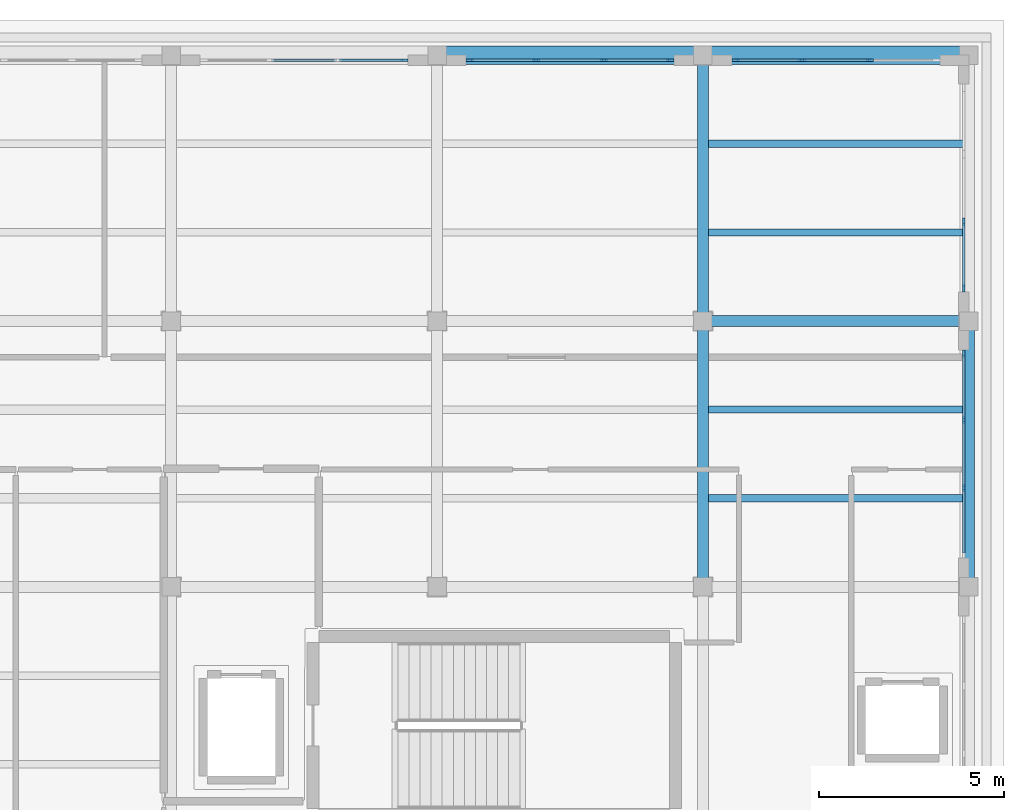
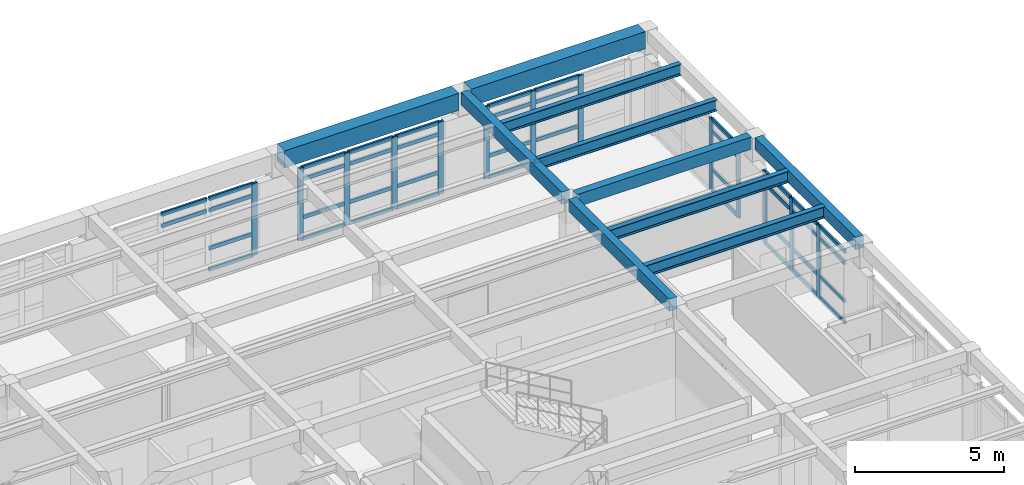
# One storey, part 8 of 18: 55 members, 10 beams, 5 elements without a shape of their own.
"""IFC4 building model written with IfcOpenShell, lengths in metres."""

from ifc_helpers import new_model, si_unit, direction, frame, origin, origin_2d, place, context, subcontext, project, spatial, rectangle, i_section, extrude, material, layer, layer_set, material_profile, profile_set, type_object, element, aggregate, save


model = new_model("IFC4")

# Units and contexts
model_context = context("Model", 3, precision=1e-05, world=origin(), true_north=direction((0.0, 1.0)))
body_context = subcontext(model_context, "Body", "Model", "MODEL_VIEW")
ifc_project = project(units=[si_unit("LENGTHUNIT", "METRE"), si_unit("AREAUNIT", "SQUARE_METRE"), si_unit("VOLUMEUNIT", "CUBIC_METRE"), si_unit("PLANEANGLEUNIT", "RADIAN"), si_unit("MASSUNIT", "GRAM", prefix="KILO")], contexts=[model_context])

# Site, building, storey
site_placement = place(None, origin())
site = spatial("IfcSite", under=ifc_project, at=site_placement, CompositionType="ELEMENT")
building_placement = place(site_placement, origin())
building = spatial("IfcBuilding", under=site, at=building_placement, Name="Solenvale Faculty of Natural Sciences", CompositionType="ELEMENT")
storey_placement = place(building_placement, frame((0.0, 0.0, 43.800048828125)))
storey = spatial("IfcBuildingStorey", under=building, at=storey_placement, Name="L10", CompositionType="ELEMENT", Elevation=43.800048828125)

# Beams
ifc_material_1 = material(Name="Concrete 40 MPa", Category="concrete")
ifc_material_profile_1 = material_profile(ifc_material_1, rectangle(XDim=0.300048828125, YDim=0.5, at=origin_2d()), Name="RC-BM-300x500")
ifc_profile_set_1 = profile_set([ifc_material_profile_1], Name="Concrete 40 MPa")
beam_type_1 = type_object("IfcBeamType", Name="BM-RC-300x500", PredefinedType="BEAM", material=ifc_profile_set_1)
for number, where, z_axis, x_axis, name in (
    (1, (144.22998046875, 108.0, 3.669921875), (1.0, 0.0, 0.0), (0.0, 1.0, 0.0), "L10 X-Girder Y108.0 (144.0..151.2)"),
    (2, (144.0, 101.030029296875, 3.669921875), (0.0, 1.0, 0.0), (-1.0, 0.0, 0.0), "L10 Y-Girder X144.0 (100.8..108.0)"),
    (3, (144.0, 108.22998046875, 3.669921875), (0.0, 1.0, 0.0), (-1.0, 0.0, 0.0), "L10 Y-Girder X144.0 (108.0..115.2)"),
    (4, (151.199951171875, 101.030029296875, 3.669921875), (0.0, 1.0, 0.0), (-1.0, 0.0, 0.0), "L10 Y-Girder X151.2 (100.8..108.0)"),
):
    element("IfcBeam", number, at=place(storey_placement, frame(where, z_axis=z_axis, x_axis=x_axis)), inside=storey, type_object=beam_type_1, Name=name, PredefinedType="BEAM", context=body_context, shape_type="SweptSolid", body=[
        extrude(rectangle(XDim=0.300048828125, YDim=0.5, at=origin_2d()), origin(), (0.0, 0.0, 1.0), 6.739990234375),
    ])
ifc_material_2 = material(Name="Precast concrete 40 MPa", Category="concrete")
ifc_material_profile_2 = material_profile(ifc_material_2, rectangle(XDim=0.5, YDim=0.699951171875, at=origin_2d()), Name="RC-BM-500x700")
ifc_profile_set_2 = profile_set([ifc_material_profile_2], Name="Precast concrete 40 MPa")
beam_type_2 = type_object("IfcBeamType", Name="BM-SPN-PRC-700", PredefinedType="SPANDREL", material=ifc_profile_set_2)
for number, where, z_axis, x_axis, name in (
    (5, (137.030029296875, 115.199951171875, 3.570068359375), (1.0, 0.0, 0.0), (0.0, 1.0, 0.0), "L10 X-Girder Y115.2 (136.8..144.0)"),
    (6, (144.22998046875, 115.199951171875, 3.570068359375), (1.0, 0.0, 0.0), (0.0, 1.0, 0.0), "L10 X-Girder Y115.2 (144.0..151.2)"),
):
    element("IfcBeam", number, at=place(storey_placement, frame(where, z_axis=z_axis, x_axis=x_axis)), inside=storey, type_object=beam_type_2, Name=name, PredefinedType="SPANDREL", context=body_context, shape_type="SweptSolid", body=[
        extrude(rectangle(XDim=0.5, YDim=0.699951171875, at=origin_2d()), origin(), (0.0, 0.0, 1.0), 6.739990234375),
    ])
ifc_material_3 = material(Name="Steel S355", Category="steel")
ifc_material_profile_3 = material_profile(ifc_material_3, i_section(OverallWidth=0.194091796875, OverallDepth=0.468994140625, WebThickness=0.0126953125, FlangeThickness=0.0205078125, FilletRadius=0.01806640625, at=origin_2d()), Name="W460x106")
ifc_profile_set_3 = profile_set([ifc_material_profile_3], Name="Steel S355")
beam_type_3 = type_object("IfcBeamType", Name="BM-STL-W460x106", PredefinedType="JOIST", material=ifc_profile_set_3)
for number, where, z_axis, x_axis, name in (
    (7, (144.1298828125, 103.199951171875, 3.685546875), (1.0, 0.0, 0.0), (0.0, 1.0, 0.0), "L10 Composite Floor Joist (21,15).1"),
    (8, (144.1298828125, 105.60009765625, 3.685546875), (1.0, 0.0, 0.0), (0.0, 1.0, 0.0), "L10 Composite Floor Joist (21,15).2"),
):
    element("IfcBeam", number, at=place(storey_placement, frame(where, z_axis=z_axis, x_axis=x_axis)), inside=storey, type_object=beam_type_3, Name=name, PredefinedType="JOIST", context=body_context, shape_type="SweptSolid", body=[
        extrude(i_section(OverallWidth=0.194091796875, OverallDepth=0.468994140625, WebThickness=0.0126953125, FlangeThickness=0.0205078125, FilletRadius=0.01806640625, at=origin_2d()), origin(), (0.0, 0.0, 1.0), 6.940185546875),
    ])
ifc_material_profile_4 = material_profile(ifc_material_3, i_section(OverallWidth=0.19091796875, OverallDepth=0.4599609375, WebThickness=0.010009765625, FlangeThickness=0.01611328125, FilletRadius=0.01806640625, at=origin_2d()), Name="W460x82")
ifc_profile_set_4 = profile_set([ifc_material_profile_4], Name="Steel S355")
beam_type_4 = type_object("IfcBeamType", Name="BM-STL-W460x82", PredefinedType="JOIST", material=ifc_profile_set_4)
for number, where, z_axis, x_axis, name in (
    (9, (144.1298828125, 110.39990234375, 3.68994140625), (1.0, 0.0, 0.0), (0.0, 1.0, 0.0), "L10 Composite Floor Joist (21,16).1"),
    (10, (144.1298828125, 112.800048828125, 3.68994140625), (1.0, 0.0, 0.0), (0.0, 1.0, 0.0), "L10 Composite Floor Joist (21,16).2"),
):
    element("IfcBeam", number, at=place(storey_placement, frame(where, z_axis=z_axis, x_axis=x_axis)), inside=storey, type_object=beam_type_4, Name=name, PredefinedType="JOIST", context=body_context, shape_type="SweptSolid", body=[
        extrude(i_section(OverallWidth=0.19091796875, OverallDepth=0.4599609375, WebThickness=0.010009765625, FlangeThickness=0.01611328125, FilletRadius=0.01806640625, at=origin_2d()), origin(), (0.0, 0.0, 1.0), 6.940185546875),
    ])

# Curtain wall, members
ifc_material_4 = material(Name="Anodised bronze aluminium", Category="aluminium")
ifc_layer = layer(ifc_material_4, 0.179931640625)
ifc_layer_set = layer_set([ifc_layer], Name="Anodised bronze aluminium")
curtain_wall_type = type_object("IfcCurtainWallType", Name="CW-TWR-MOD", PredefinedType="USERDEFINED", material=ifc_layer_set)
curtain_wall_1_placement = place(storey_placement, origin())
curtain_wall_1 = element("IfcCurtainWall", 11, at=curtain_wall_1_placement, inside=storey, type_object=curtain_wall_type, Name="L10 Curtain Wall CW-L10-P1-E1-B2", ObjectType="UNITISED CURTAIN WALL", PredefinedType="USERDEFINED")
ifc_material_profile_5 = material_profile(ifc_material_4, rectangle(XDim=0.074951171875, YDim=0.2099609375, at=origin_2d()), Name="ALU-MUL-75x210")
ifc_profile_set_5 = profile_set([ifc_material_profile_5], Name="Anodised bronze aluminium")
member_type_1 = type_object("IfcMemberType", Name="CWM-ALU-75x210", PredefinedType="MULLION", material=ifc_profile_set_5)
member_1_placement = place(storey_placement, frame((151.0576171875, 103.4833984375, 0.0), z_axis=(0.0, 0.0, 1.0), x_axis=(-1.0, 0.0, 0.0)))
member_1 = element("IfcMember", 12, at=member_1_placement, type_object=member_type_1, Name="CW-04 mullion 2", PredefinedType="MULLION", context=body_context, shape_type="SweptSolid", body=[
    extrude(rectangle(XDim=0.074951171875, YDim=0.2099609375, at=origin_2d()), origin(), (0.0, 0.0, 1.0), 2.9599609375),
])
member_2_placement = place(storey_placement, frame((151.0576171875, 105.316650390625, 0.0), z_axis=(0.0, 0.0, 1.0), x_axis=(-1.0, 0.0, 0.0)))
member_2 = element("IfcMember", 13, at=member_2_placement, type_object=member_type_1, Name="CW-04 mullion 3", PredefinedType="MULLION", context=body_context, shape_type="SweptSolid", body=[
    extrude(rectangle(XDim=0.074951171875, YDim=0.2099609375, at=origin_2d()), origin(), (0.0, 0.0, 1.0), 2.9599609375),
])
member_3_placement = place(storey_placement, frame((151.0576171875, 107.112548828125, 0.0), z_axis=(0.0, 0.0, 1.0), x_axis=(-1.0, 0.0, 0.0)))
member_3 = element("IfcMember", 14, at=member_3_placement, type_object=member_type_1, Name="CW-04 mullion 4", PredefinedType="MULLION", context=body_context, shape_type="SweptSolid", body=[
    extrude(rectangle(XDim=0.074951171875, YDim=0.2099609375, at=origin_2d()), origin(), (0.0, 0.0, 1.0), 2.9599609375),
])

curtain_wall_2_placement = place(storey_placement, origin())
curtain_wall_2 = element("IfcCurtainWall", 15, at=curtain_wall_2_placement, inside=storey, type_object=curtain_wall_type, Name="L10 Curtain Wall CW-L10-P1-E1-B3", ObjectType="UNITISED CURTAIN WALL", PredefinedType="USERDEFINED")
member_4_placement = place(storey_placement, frame((151.0576171875, 108.887451171875, 0.0), z_axis=(0.0, 0.0, 1.0), x_axis=(-1.0, 0.0, 0.0)))
member_4 = element("IfcMember", 16, at=member_4_placement, type_object=member_type_1, Name="CW-04 mullion 1", PredefinedType="MULLION", context=body_context, shape_type="SweptSolid", body=[
    extrude(rectangle(XDim=0.074951171875, YDim=0.2099609375, at=origin_2d()), origin(), (0.0, 0.0, 1.0), 2.9599609375),
])
member_5_placement = place(storey_placement, frame((151.0576171875, 110.683349609375, 0.0), z_axis=(0.0, 0.0, 1.0), x_axis=(-1.0, 0.0, 0.0)))
member_5 = element("IfcMember", 17, at=member_5_placement, type_object=member_type_1, Name="CW-04 mullion 2", PredefinedType="MULLION", context=body_context, shape_type="SweptSolid", body=[
    extrude(rectangle(XDim=0.074951171875, YDim=0.2099609375, at=origin_2d()), origin(), (0.0, 0.0, 1.0), 2.9599609375),
])

curtain_wall_3_placement = place(storey_placement, origin())
curtain_wall_3 = element("IfcCurtainWall", 18, at=curtain_wall_3_placement, inside=storey, type_object=curtain_wall_type, Name="L10 Curtain Wall CW-L10-P1-E2-B1", ObjectType="UNITISED CURTAIN WALL", PredefinedType="USERDEFINED")
member_6_placement = place(storey_placement, frame((148.5166015625, 115.0576171875, 0.0), z_axis=(0.0, 0.0, 1.0), x_axis=(0.0, -1.0, 0.0)))
member_6 = element("IfcMember", 19, at=member_6_placement, type_object=member_type_1, Name="CW-04 mullion 2", PredefinedType="MULLION", context=body_context, shape_type="SweptSolid", body=[
    extrude(rectangle(XDim=0.074951171875, YDim=0.2099609375, at=origin_2d()), origin(), (0.0, 0.0, 1.0), 2.9599609375),
])
member_7_placement = place(storey_placement, frame((146.683349609375, 115.0576171875, 0.0), z_axis=(0.0, 0.0, 1.0), x_axis=(0.0, -1.0, 0.0)))
member_7 = element("IfcMember", 20, at=member_7_placement, type_object=member_type_1, Name="CW-04 mullion 3", PredefinedType="MULLION", context=body_context, shape_type="SweptSolid", body=[
    extrude(rectangle(XDim=0.074951171875, YDim=0.2099609375, at=origin_2d()), origin(), (0.0, 0.0, 1.0), 2.9599609375),
])
member_8_placement = place(storey_placement, frame((144.887451171875, 115.0576171875, 0.0), z_axis=(0.0, 0.0, 1.0), x_axis=(0.0, -1.0, 0.0)))
member_8 = element("IfcMember", 21, at=member_8_placement, type_object=member_type_1, Name="CW-04 mullion 4", PredefinedType="MULLION", context=body_context, shape_type="SweptSolid", body=[
    extrude(rectangle(XDim=0.074951171875, YDim=0.2099609375, at=origin_2d()), origin(), (0.0, 0.0, 1.0), 2.9599609375),
])

curtain_wall_4_placement = place(storey_placement, origin())
curtain_wall_4 = element("IfcCurtainWall", 22, at=curtain_wall_4_placement, inside=storey, type_object=curtain_wall_type, Name="L10 Curtain Wall CW-L10-P1-E2-B2", ObjectType="UNITISED CURTAIN WALL", PredefinedType="USERDEFINED")
member_9_placement = place(storey_placement, frame((143.112548828125, 115.0576171875, 0.0), z_axis=(0.0, 0.0, 1.0), x_axis=(0.0, -1.0, 0.0)))
member_9 = element("IfcMember", 23, at=member_9_placement, type_object=member_type_1, Name="CW-04 mullion 1", PredefinedType="MULLION", context=body_context, shape_type="SweptSolid", body=[
    extrude(rectangle(XDim=0.074951171875, YDim=0.2099609375, at=origin_2d()), origin(), (0.0, 0.0, 1.0), 2.9599609375),
])
member_10_placement = place(storey_placement, frame((141.316650390625, 115.0576171875, 0.0), z_axis=(0.0, 0.0, 1.0), x_axis=(0.0, -1.0, 0.0)))
member_10 = element("IfcMember", 24, at=member_10_placement, type_object=member_type_1, Name="CW-04 mullion 2", PredefinedType="MULLION", context=body_context, shape_type="SweptSolid", body=[
    extrude(rectangle(XDim=0.074951171875, YDim=0.2099609375, at=origin_2d()), origin(), (0.0, 0.0, 1.0), 2.9599609375),
])
member_11_placement = place(storey_placement, frame((139.4833984375, 115.0576171875, 0.0), z_axis=(0.0, 0.0, 1.0), x_axis=(0.0, -1.0, 0.0)))
member_11 = element("IfcMember", 25, at=member_11_placement, type_object=member_type_1, Name="CW-04 mullion 3", PredefinedType="MULLION", context=body_context, shape_type="SweptSolid", body=[
    extrude(rectangle(XDim=0.074951171875, YDim=0.2099609375, at=origin_2d()), origin(), (0.0, 0.0, 1.0), 2.9599609375),
])
member_12_placement = place(storey_placement, frame((137.6875, 115.0576171875, 0.0), z_axis=(0.0, 0.0, 1.0), x_axis=(0.0, -1.0, 0.0)))
member_12 = element("IfcMember", 26, at=member_12_placement, type_object=member_type_1, Name="CW-04 mullion 4", PredefinedType="MULLION", context=body_context, shape_type="SweptSolid", body=[
    extrude(rectangle(XDim=0.074951171875, YDim=0.2099609375, at=origin_2d()), origin(), (0.0, 0.0, 1.0), 2.9599609375),
])

# Curtain wall, member
curtain_wall_5_placement = place(storey_placement, origin())
curtain_wall_5 = element("IfcCurtainWall", 27, at=curtain_wall_5_placement, inside=storey, type_object=curtain_wall_type, Name="L10 Curtain Wall CW-L10-P1-E2-B3", ObjectType="UNITISED CURTAIN WALL", PredefinedType="USERDEFINED")
member_13_placement = place(storey_placement, frame((135.91259765625, 115.0576171875, 0.0), z_axis=(0.0, 0.0, 1.0), x_axis=(0.0, -1.0, 0.0)))
member_13 = element("IfcMember", 28, at=member_13_placement, type_object=member_type_1, Name="CW-04 mullion 1", PredefinedType="MULLION", context=body_context, shape_type="SweptSolid", body=[
    extrude(rectangle(XDim=0.074951171875, YDim=0.2099609375, at=origin_2d()), origin(), (0.0, 0.0, 1.0), 2.9599609375),
])

# Member
ifc_material_profile_6 = material_profile(ifc_material_4, rectangle(XDim=0.074951171875, YDim=0.155029296875, at=origin_2d()), Name="ALU-TRN-75x155")
ifc_profile_set_6 = profile_set([ifc_material_profile_6], Name="Anodised bronze aluminium")
member_type_2 = type_object("IfcMemberType", Name="CWT-ALU-75x155", PredefinedType="USERDEFINED", material=ifc_profile_set_6)
member_14_placement = place(storey_placement, frame((151.0576171875, 101.72509765625, 0.037353515625), z_axis=(0.0, 1.0, 0.0), x_axis=(-1.0, 0.0, 0.0)))
member_14 = element("IfcMember", 29, at=member_14_placement, type_object=member_type_2, Name="CW-04 transom 1.1", ObjectType="TRANSOM", PredefinedType="USERDEFINED", context=body_context, shape_type="SweptSolid", body=[
    extrude(rectangle(XDim=0.074951171875, YDim=0.155029296875, at=origin_2d()), origin(), (0.0, 0.0, 1.0), 1.720703125),
])

member_15_placement = place(storey_placement, frame((151.0576171875, 101.72509765625, 0.89990234375), z_axis=(0.0, 1.0, 0.0), x_axis=(-1.0, 0.0, 0.0)))
member_15 = element("IfcMember", 30, at=member_15_placement, type_object=member_type_2, Name="CW-04 transom 1.2", ObjectType="TRANSOM", PredefinedType="USERDEFINED", context=body_context, shape_type="SweptSolid", body=[
    extrude(rectangle(XDim=0.074951171875, YDim=0.155029296875, at=origin_2d()), origin(), (0.0, 0.0, 1.0), 1.720703125),
])

member_16_placement = place(storey_placement, frame((151.0576171875, 101.72509765625, 2.4599609375), z_axis=(0.0, 1.0, 0.0), x_axis=(-1.0, 0.0, 0.0)))
member_16 = element("IfcMember", 31, at=member_16_placement, type_object=member_type_2, Name="CW-04 transom 1.3", ObjectType="TRANSOM", PredefinedType="USERDEFINED", context=body_context, shape_type="SweptSolid", body=[
    extrude(rectangle(XDim=0.074951171875, YDim=0.155029296875, at=origin_2d()), origin(), (0.0, 0.0, 1.0), 1.720703125),
])

member_17_placement = place(storey_placement, frame((151.0576171875, 101.72509765625, 2.92236328125), z_axis=(0.0, 1.0, 0.0), x_axis=(-1.0, 0.0, 0.0)))
member_17 = element("IfcMember", 32, at=member_17_placement, type_object=member_type_2, Name="CW-04 transom 1.4", ObjectType="TRANSOM", PredefinedType="USERDEFINED", context=body_context, shape_type="SweptSolid", body=[
    extrude(rectangle(XDim=0.074951171875, YDim=0.155029296875, at=origin_2d()), origin(), (0.0, 0.0, 1.0), 1.720703125),
])

member_18_placement = place(storey_placement, frame((151.0576171875, 103.520751953125, 0.037353515625), z_axis=(0.0, 1.0, 0.0), x_axis=(-1.0, 0.0, 0.0)))
member_18 = element("IfcMember", 33, at=member_18_placement, type_object=member_type_2, Name="CW-04 transom 2.1", ObjectType="TRANSOM", PredefinedType="USERDEFINED", context=body_context, shape_type="SweptSolid", body=[
    extrude(rectangle(XDim=0.074951171875, YDim=0.155029296875, at=origin_2d()), origin(), (0.0, 0.0, 1.0), 1.75830078125),
])

member_19_placement = place(storey_placement, frame((151.0576171875, 103.520751953125, 0.89990234375), z_axis=(0.0, 1.0, 0.0), x_axis=(-1.0, 0.0, 0.0)))
member_19 = element("IfcMember", 34, at=member_19_placement, type_object=member_type_2, Name="CW-04 transom 2.2", ObjectType="TRANSOM", PredefinedType="USERDEFINED", context=body_context, shape_type="SweptSolid", body=[
    extrude(rectangle(XDim=0.074951171875, YDim=0.155029296875, at=origin_2d()), origin(), (0.0, 0.0, 1.0), 1.75830078125),
])

member_20_placement = place(storey_placement, frame((151.0576171875, 103.520751953125, 2.4599609375), z_axis=(0.0, 1.0, 0.0), x_axis=(-1.0, 0.0, 0.0)))
member_20 = element("IfcMember", 35, at=member_20_placement, type_object=member_type_2, Name="CW-04 transom 2.3", ObjectType="TRANSOM", PredefinedType="USERDEFINED", context=body_context, shape_type="SweptSolid", body=[
    extrude(rectangle(XDim=0.074951171875, YDim=0.155029296875, at=origin_2d()), origin(), (0.0, 0.0, 1.0), 1.75830078125),
])

member_21_placement = place(storey_placement, frame((151.0576171875, 103.520751953125, 2.92236328125), z_axis=(0.0, 1.0, 0.0), x_axis=(-1.0, 0.0, 0.0)))
member_21 = element("IfcMember", 36, at=member_21_placement, type_object=member_type_2, Name="CW-04 transom 2.4", ObjectType="TRANSOM", PredefinedType="USERDEFINED", context=body_context, shape_type="SweptSolid", body=[
    extrude(rectangle(XDim=0.074951171875, YDim=0.155029296875, at=origin_2d()), origin(), (0.0, 0.0, 1.0), 1.75830078125),
])

member_22_placement = place(storey_placement, frame((151.0576171875, 105.354248046875, 0.037353515625), z_axis=(0.0, 1.0, 0.0), x_axis=(-1.0, 0.0, 0.0)))
member_22 = element("IfcMember", 37, at=member_22_placement, type_object=member_type_2, Name="CW-04 transom 3.1", ObjectType="TRANSOM", PredefinedType="USERDEFINED", context=body_context, shape_type="SweptSolid", body=[
    extrude(rectangle(XDim=0.074951171875, YDim=0.155029296875, at=origin_2d()), origin(), (0.0, 0.0, 1.0), 1.720703125),
])

member_23_placement = place(storey_placement, frame((151.0576171875, 105.354248046875, 0.89990234375), z_axis=(0.0, 1.0, 0.0), x_axis=(-1.0, 0.0, 0.0)))
member_23 = element("IfcMember", 38, at=member_23_placement, type_object=member_type_2, Name="CW-04 transom 3.2", ObjectType="TRANSOM", PredefinedType="USERDEFINED", context=body_context, shape_type="SweptSolid", body=[
    extrude(rectangle(XDim=0.074951171875, YDim=0.155029296875, at=origin_2d()), origin(), (0.0, 0.0, 1.0), 1.720703125),
])

member_24_placement = place(storey_placement, frame((151.0576171875, 105.354248046875, 2.4599609375), z_axis=(0.0, 1.0, 0.0), x_axis=(-1.0, 0.0, 0.0)))
member_24 = element("IfcMember", 39, at=member_24_placement, type_object=member_type_2, Name="CW-04 transom 3.3", ObjectType="TRANSOM", PredefinedType="USERDEFINED", context=body_context, shape_type="SweptSolid", body=[
    extrude(rectangle(XDim=0.074951171875, YDim=0.155029296875, at=origin_2d()), origin(), (0.0, 0.0, 1.0), 1.720703125),
])

member_25_placement = place(storey_placement, frame((151.0576171875, 105.354248046875, 2.92236328125), z_axis=(0.0, 1.0, 0.0), x_axis=(-1.0, 0.0, 0.0)))
member_25 = element("IfcMember", 40, at=member_25_placement, type_object=member_type_2, Name="CW-04 transom 3.4", ObjectType="TRANSOM", PredefinedType="USERDEFINED", context=body_context, shape_type="SweptSolid", body=[
    extrude(rectangle(XDim=0.074951171875, YDim=0.155029296875, at=origin_2d()), origin(), (0.0, 0.0, 1.0), 1.720703125),
])

aggregate(curtain_wall_1, [member_1, member_2, member_3, member_14, member_15, member_16, member_17, member_18, member_19, member_20, member_21, member_22, member_23, member_24, member_25])

member_26_placement = place(storey_placement, frame((151.0576171875, 108.925048828125, 0.037353515625), z_axis=(0.0, 1.0, 0.0), x_axis=(-1.0, 0.0, 0.0)))
member_26 = element("IfcMember", 41, at=member_26_placement, type_object=member_type_2, Name="CW-04 transom 1.1", ObjectType="TRANSOM", PredefinedType="USERDEFINED", context=body_context, shape_type="SweptSolid", body=[
    extrude(rectangle(XDim=0.074951171875, YDim=0.155029296875, at=origin_2d()), origin(), (0.0, 0.0, 1.0), 1.720703125),
])

member_27_placement = place(storey_placement, frame((151.0576171875, 108.925048828125, 0.89990234375), z_axis=(0.0, 1.0, 0.0), x_axis=(-1.0, 0.0, 0.0)))
member_27 = element("IfcMember", 42, at=member_27_placement, type_object=member_type_2, Name="CW-04 transom 1.2", ObjectType="TRANSOM", PredefinedType="USERDEFINED", context=body_context, shape_type="SweptSolid", body=[
    extrude(rectangle(XDim=0.074951171875, YDim=0.155029296875, at=origin_2d()), origin(), (0.0, 0.0, 1.0), 1.720703125),
])

member_28_placement = place(storey_placement, frame((151.0576171875, 108.925048828125, 2.4599609375), z_axis=(0.0, 1.0, 0.0), x_axis=(-1.0, 0.0, 0.0)))
member_28 = element("IfcMember", 43, at=member_28_placement, type_object=member_type_2, Name="CW-04 transom 1.3", ObjectType="TRANSOM", PredefinedType="USERDEFINED", context=body_context, shape_type="SweptSolid", body=[
    extrude(rectangle(XDim=0.074951171875, YDim=0.155029296875, at=origin_2d()), origin(), (0.0, 0.0, 1.0), 1.720703125),
])

member_29_placement = place(storey_placement, frame((151.0576171875, 108.925048828125, 2.92236328125), z_axis=(0.0, 1.0, 0.0), x_axis=(-1.0, 0.0, 0.0)))
member_29 = element("IfcMember", 44, at=member_29_placement, type_object=member_type_2, Name="CW-04 transom 1.4", ObjectType="TRANSOM", PredefinedType="USERDEFINED", context=body_context, shape_type="SweptSolid", body=[
    extrude(rectangle(XDim=0.074951171875, YDim=0.155029296875, at=origin_2d()), origin(), (0.0, 0.0, 1.0), 1.720703125),
])

aggregate(curtain_wall_2, [member_4, member_5, member_26, member_27, member_28, member_29])

member_30_placement = place(storey_placement, frame((148.479248046875, 115.0576171875, 0.037353515625), z_axis=(-1.0, 0.0, 0.0), x_axis=(0.0, -1.0, 0.0)))
member_30 = element("IfcMember", 45, at=member_30_placement, type_object=member_type_2, Name="CW-04 transom 2.1", ObjectType="TRANSOM", PredefinedType="USERDEFINED", context=body_context, shape_type="SweptSolid", body=[
    extrude(rectangle(XDim=0.074951171875, YDim=0.155029296875, at=origin_2d()), origin(), (0.0, 0.0, 1.0), 1.75830078125),
])

member_31_placement = place(storey_placement, frame((148.479248046875, 115.0576171875, 0.89990234375), z_axis=(-1.0, 0.0, 0.0), x_axis=(0.0, -1.0, 0.0)))
member_31 = element("IfcMember", 46, at=member_31_placement, type_object=member_type_2, Name="CW-04 transom 2.2", ObjectType="TRANSOM", PredefinedType="USERDEFINED", context=body_context, shape_type="SweptSolid", body=[
    extrude(rectangle(XDim=0.074951171875, YDim=0.155029296875, at=origin_2d()), origin(), (0.0, 0.0, 1.0), 1.75830078125),
])

member_32_placement = place(storey_placement, frame((148.479248046875, 115.0576171875, 2.4599609375), z_axis=(-1.0, 0.0, 0.0), x_axis=(0.0, -1.0, 0.0)))
member_32 = element("IfcMember", 47, at=member_32_placement, type_object=member_type_2, Name="CW-04 transom 2.3", ObjectType="TRANSOM", PredefinedType="USERDEFINED", context=body_context, shape_type="SweptSolid", body=[
    extrude(rectangle(XDim=0.074951171875, YDim=0.155029296875, at=origin_2d()), origin(), (0.0, 0.0, 1.0), 1.75830078125),
])

member_33_placement = place(storey_placement, frame((148.479248046875, 115.0576171875, 2.92236328125), z_axis=(-1.0, 0.0, 0.0), x_axis=(0.0, -1.0, 0.0)))
member_33 = element("IfcMember", 48, at=member_33_placement, type_object=member_type_2, Name="CW-04 transom 2.4", ObjectType="TRANSOM", PredefinedType="USERDEFINED", context=body_context, shape_type="SweptSolid", body=[
    extrude(rectangle(XDim=0.074951171875, YDim=0.155029296875, at=origin_2d()), origin(), (0.0, 0.0, 1.0), 1.75830078125),
])

member_34_placement = place(storey_placement, frame((146.645751953125, 115.0576171875, 0.037353515625), z_axis=(-1.0, 0.0, 0.0), x_axis=(0.0, -1.0, 0.0)))
member_34 = element("IfcMember", 49, at=member_34_placement, type_object=member_type_2, Name="CW-04 transom 3.1", ObjectType="TRANSOM", PredefinedType="USERDEFINED", context=body_context, shape_type="SweptSolid", body=[
    extrude(rectangle(XDim=0.074951171875, YDim=0.155029296875, at=origin_2d()), origin(), (0.0, 0.0, 1.0), 1.720703125),
])

member_35_placement = place(storey_placement, frame((146.645751953125, 115.0576171875, 0.89990234375), z_axis=(-1.0, 0.0, 0.0), x_axis=(0.0, -1.0, 0.0)))
member_35 = element("IfcMember", 50, at=member_35_placement, type_object=member_type_2, Name="CW-04 transom 3.2", ObjectType="TRANSOM", PredefinedType="USERDEFINED", context=body_context, shape_type="SweptSolid", body=[
    extrude(rectangle(XDim=0.074951171875, YDim=0.155029296875, at=origin_2d()), origin(), (0.0, 0.0, 1.0), 1.720703125),
])

member_36_placement = place(storey_placement, frame((146.645751953125, 115.0576171875, 2.4599609375), z_axis=(-1.0, 0.0, 0.0), x_axis=(0.0, -1.0, 0.0)))
member_36 = element("IfcMember", 51, at=member_36_placement, type_object=member_type_2, Name="CW-04 transom 3.3", ObjectType="TRANSOM", PredefinedType="USERDEFINED", context=body_context, shape_type="SweptSolid", body=[
    extrude(rectangle(XDim=0.074951171875, YDim=0.155029296875, at=origin_2d()), origin(), (0.0, 0.0, 1.0), 1.720703125),
])

member_37_placement = place(storey_placement, frame((146.645751953125, 115.0576171875, 2.92236328125), z_axis=(-1.0, 0.0, 0.0), x_axis=(0.0, -1.0, 0.0)))
member_37 = element("IfcMember", 52, at=member_37_placement, type_object=member_type_2, Name="CW-04 transom 3.4", ObjectType="TRANSOM", PredefinedType="USERDEFINED", context=body_context, shape_type="SweptSolid", body=[
    extrude(rectangle(XDim=0.074951171875, YDim=0.155029296875, at=origin_2d()), origin(), (0.0, 0.0, 1.0), 1.720703125),
])

aggregate(curtain_wall_3, [member_6, member_7, member_8, member_30, member_31, member_32, member_33, member_34, member_35, member_36, member_37])

member_38_placement = place(storey_placement, frame((143.074951171875, 115.0576171875, 0.037353515625), z_axis=(-1.0, 0.0, 0.0), x_axis=(0.0, -1.0, 0.0)))
member_38 = element("IfcMember", 53, at=member_38_placement, type_object=member_type_2, Name="CW-04 transom 1.1", ObjectType="TRANSOM", PredefinedType="USERDEFINED", context=body_context, shape_type="SweptSolid", body=[
    extrude(rectangle(XDim=0.074951171875, YDim=0.155029296875, at=origin_2d()), origin(), (0.0, 0.0, 1.0), 1.720703125),
])

member_39_placement = place(storey_placement, frame((143.074951171875, 115.0576171875, 0.89990234375), z_axis=(-1.0, 0.0, 0.0), x_axis=(0.0, -1.0, 0.0)))
member_39 = element("IfcMember", 54, at=member_39_placement, type_object=member_type_2, Name="CW-04 transom 1.2", ObjectType="TRANSOM", PredefinedType="USERDEFINED", context=body_context, shape_type="SweptSolid", body=[
    extrude(rectangle(XDim=0.074951171875, YDim=0.155029296875, at=origin_2d()), origin(), (0.0, 0.0, 1.0), 1.720703125),
])

member_40_placement = place(storey_placement, frame((143.074951171875, 115.0576171875, 2.4599609375), z_axis=(-1.0, 0.0, 0.0), x_axis=(0.0, -1.0, 0.0)))
member_40 = element("IfcMember", 55, at=member_40_placement, type_object=member_type_2, Name="CW-04 transom 1.3", ObjectType="TRANSOM", PredefinedType="USERDEFINED", context=body_context, shape_type="SweptSolid", body=[
    extrude(rectangle(XDim=0.074951171875, YDim=0.155029296875, at=origin_2d()), origin(), (0.0, 0.0, 1.0), 1.720703125),
])

member_41_placement = place(storey_placement, frame((143.074951171875, 115.0576171875, 2.92236328125), z_axis=(-1.0, 0.0, 0.0), x_axis=(0.0, -1.0, 0.0)))
member_41 = element("IfcMember", 56, at=member_41_placement, type_object=member_type_2, Name="CW-04 transom 1.4", ObjectType="TRANSOM", PredefinedType="USERDEFINED", context=body_context, shape_type="SweptSolid", body=[
    extrude(rectangle(XDim=0.074951171875, YDim=0.155029296875, at=origin_2d()), origin(), (0.0, 0.0, 1.0), 1.720703125),
])

member_42_placement = place(storey_placement, frame((141.279052734375, 115.0576171875, 0.037353515625), z_axis=(-1.0, 0.0, 0.0), x_axis=(0.0, -1.0, 0.0)))
member_42 = element("IfcMember", 57, at=member_42_placement, type_object=member_type_2, Name="CW-04 transom 2.1", ObjectType="TRANSOM", PredefinedType="USERDEFINED", context=body_context, shape_type="SweptSolid", body=[
    extrude(rectangle(XDim=0.074951171875, YDim=0.155029296875, at=origin_2d()), origin(), (0.0, 0.0, 1.0), 1.75830078125),
])

member_43_placement = place(storey_placement, frame((141.279052734375, 115.0576171875, 0.89990234375), z_axis=(-1.0, 0.0, 0.0), x_axis=(0.0, -1.0, 0.0)))
member_43 = element("IfcMember", 58, at=member_43_placement, type_object=member_type_2, Name="CW-04 transom 2.2", ObjectType="TRANSOM", PredefinedType="USERDEFINED", context=body_context, shape_type="SweptSolid", body=[
    extrude(rectangle(XDim=0.074951171875, YDim=0.155029296875, at=origin_2d()), origin(), (0.0, 0.0, 1.0), 1.75830078125),
])

member_44_placement = place(storey_placement, frame((141.279052734375, 115.0576171875, 2.4599609375), z_axis=(-1.0, 0.0, 0.0), x_axis=(0.0, -1.0, 0.0)))
member_44 = element("IfcMember", 59, at=member_44_placement, type_object=member_type_2, Name="CW-04 transom 2.3", ObjectType="TRANSOM", PredefinedType="USERDEFINED", context=body_context, shape_type="SweptSolid", body=[
    extrude(rectangle(XDim=0.074951171875, YDim=0.155029296875, at=origin_2d()), origin(), (0.0, 0.0, 1.0), 1.75830078125),
])

member_45_placement = place(storey_placement, frame((141.279052734375, 115.0576171875, 2.92236328125), z_axis=(-1.0, 0.0, 0.0), x_axis=(0.0, -1.0, 0.0)))
member_45 = element("IfcMember", 60, at=member_45_placement, type_object=member_type_2, Name="CW-04 transom 2.4", ObjectType="TRANSOM", PredefinedType="USERDEFINED", context=body_context, shape_type="SweptSolid", body=[
    extrude(rectangle(XDim=0.074951171875, YDim=0.155029296875, at=origin_2d()), origin(), (0.0, 0.0, 1.0), 1.75830078125),
])

member_46_placement = place(storey_placement, frame((139.44580078125, 115.0576171875, 0.037353515625), z_axis=(-1.0, 0.0, 0.0), x_axis=(0.0, -1.0, 0.0)))
member_46 = element("IfcMember", 61, at=member_46_placement, type_object=member_type_2, Name="CW-04 transom 3.1", ObjectType="TRANSOM", PredefinedType="USERDEFINED", context=body_context, shape_type="SweptSolid", body=[
    extrude(rectangle(XDim=0.074951171875, YDim=0.155029296875, at=origin_2d()), origin(), (0.0, 0.0, 1.0), 1.720703125),
])

member_47_placement = place(storey_placement, frame((139.44580078125, 115.0576171875, 0.89990234375), z_axis=(-1.0, 0.0, 0.0), x_axis=(0.0, -1.0, 0.0)))
member_47 = element("IfcMember", 62, at=member_47_placement, type_object=member_type_2, Name="CW-04 transom 3.2", ObjectType="TRANSOM", PredefinedType="USERDEFINED", context=body_context, shape_type="SweptSolid", body=[
    extrude(rectangle(XDim=0.074951171875, YDim=0.155029296875, at=origin_2d()), origin(), (0.0, 0.0, 1.0), 1.720703125),
])

member_48_placement = place(storey_placement, frame((139.44580078125, 115.0576171875, 2.4599609375), z_axis=(-1.0, 0.0, 0.0), x_axis=(0.0, -1.0, 0.0)))
member_48 = element("IfcMember", 63, at=member_48_placement, type_object=member_type_2, Name="CW-04 transom 3.3", ObjectType="TRANSOM", PredefinedType="USERDEFINED", context=body_context, shape_type="SweptSolid", body=[
    extrude(rectangle(XDim=0.074951171875, YDim=0.155029296875, at=origin_2d()), origin(), (0.0, 0.0, 1.0), 1.720703125),
])

member_49_placement = place(storey_placement, frame((139.44580078125, 115.0576171875, 2.92236328125), z_axis=(-1.0, 0.0, 0.0), x_axis=(0.0, -1.0, 0.0)))
member_49 = element("IfcMember", 64, at=member_49_placement, type_object=member_type_2, Name="CW-04 transom 3.4", ObjectType="TRANSOM", PredefinedType="USERDEFINED", context=body_context, shape_type="SweptSolid", body=[
    extrude(rectangle(XDim=0.074951171875, YDim=0.155029296875, at=origin_2d()), origin(), (0.0, 0.0, 1.0), 1.720703125),
])

aggregate(curtain_wall_4, [member_9, member_10, member_11, member_12, member_38, member_39, member_40, member_41, member_42, member_43, member_44, member_45, member_46, member_47, member_48, member_49])

member_50_placement = place(storey_placement, frame((135.875, 115.0576171875, 0.037353515625), z_axis=(-1.0, 0.0, 0.0), x_axis=(0.0, -1.0, 0.0)))
member_50 = element("IfcMember", 65, at=member_50_placement, type_object=member_type_2, Name="CW-04 transom 1.1", ObjectType="TRANSOM", PredefinedType="USERDEFINED", context=body_context, shape_type="SweptSolid", body=[
    extrude(rectangle(XDim=0.074951171875, YDim=0.155029296875, at=origin_2d()), origin(), (0.0, 0.0, 1.0), 1.720947265625),
])

member_51_placement = place(storey_placement, frame((135.875, 115.0576171875, 0.89990234375), z_axis=(-1.0, 0.0, 0.0), x_axis=(0.0, -1.0, 0.0)))
member_51 = element("IfcMember", 66, at=member_51_placement, type_object=member_type_2, Name="CW-04 transom 1.2", ObjectType="TRANSOM", PredefinedType="USERDEFINED", context=body_context, shape_type="SweptSolid", body=[
    extrude(rectangle(XDim=0.074951171875, YDim=0.155029296875, at=origin_2d()), origin(), (0.0, 0.0, 1.0), 1.720947265625),
])

member_52_placement = place(storey_placement, frame((135.875, 115.0576171875, 2.4599609375), z_axis=(-1.0, 0.0, 0.0), x_axis=(0.0, -1.0, 0.0)))
member_52 = element("IfcMember", 67, at=member_52_placement, type_object=member_type_2, Name="CW-04 transom 1.3", ObjectType="TRANSOM", PredefinedType="USERDEFINED", context=body_context, shape_type="SweptSolid", body=[
    extrude(rectangle(XDim=0.074951171875, YDim=0.155029296875, at=origin_2d()), origin(), (0.0, 0.0, 1.0), 1.720947265625),
])

member_53_placement = place(storey_placement, frame((135.875, 115.0576171875, 2.92236328125), z_axis=(-1.0, 0.0, 0.0), x_axis=(0.0, -1.0, 0.0)))
member_53 = element("IfcMember", 68, at=member_53_placement, type_object=member_type_2, Name="CW-04 transom 1.4", ObjectType="TRANSOM", PredefinedType="USERDEFINED", context=body_context, shape_type="SweptSolid", body=[
    extrude(rectangle(XDim=0.074951171875, YDim=0.155029296875, at=origin_2d()), origin(), (0.0, 0.0, 1.0), 1.720947265625),
])

member_54_placement = place(storey_placement, frame((134.0791015625, 115.0576171875, 2.4599609375), z_axis=(-1.0, 0.0, 0.0), x_axis=(0.0, -1.0, 0.0)))
member_54 = element("IfcMember", 69, at=member_54_placement, type_object=member_type_2, Name="CW-04 transom 2.3", ObjectType="TRANSOM", PredefinedType="USERDEFINED", context=body_context, shape_type="SweptSolid", body=[
    extrude(rectangle(XDim=0.074951171875, YDim=0.155029296875, at=origin_2d()), origin(), (0.0, 0.0, 1.0), 1.75830078125),
])

member_55_placement = place(storey_placement, frame((134.0791015625, 115.0576171875, 2.92236328125), z_axis=(-1.0, 0.0, 0.0), x_axis=(0.0, -1.0, 0.0)))
member_55 = element("IfcMember", 70, at=member_55_placement, type_object=member_type_2, Name="CW-04 transom 2.4", ObjectType="TRANSOM", PredefinedType="USERDEFINED", context=body_context, shape_type="SweptSolid", body=[
    extrude(rectangle(XDim=0.074951171875, YDim=0.155029296875, at=origin_2d()), origin(), (0.0, 0.0, 1.0), 1.75830078125),
])

aggregate(curtain_wall_5, [member_13, member_50, member_51, member_52, member_53, member_54, member_55])

save(model, "model.ifc")
